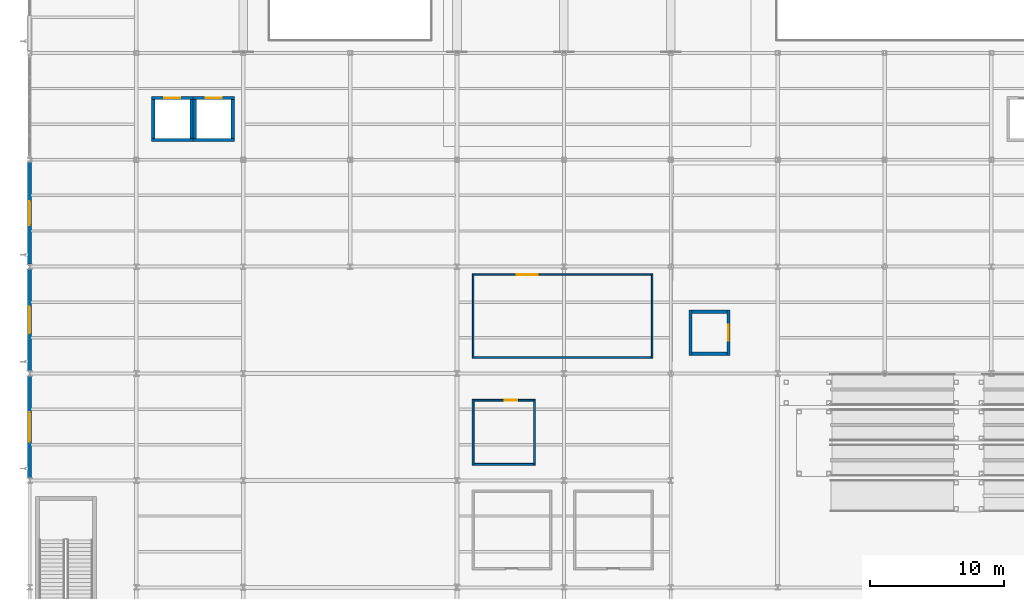
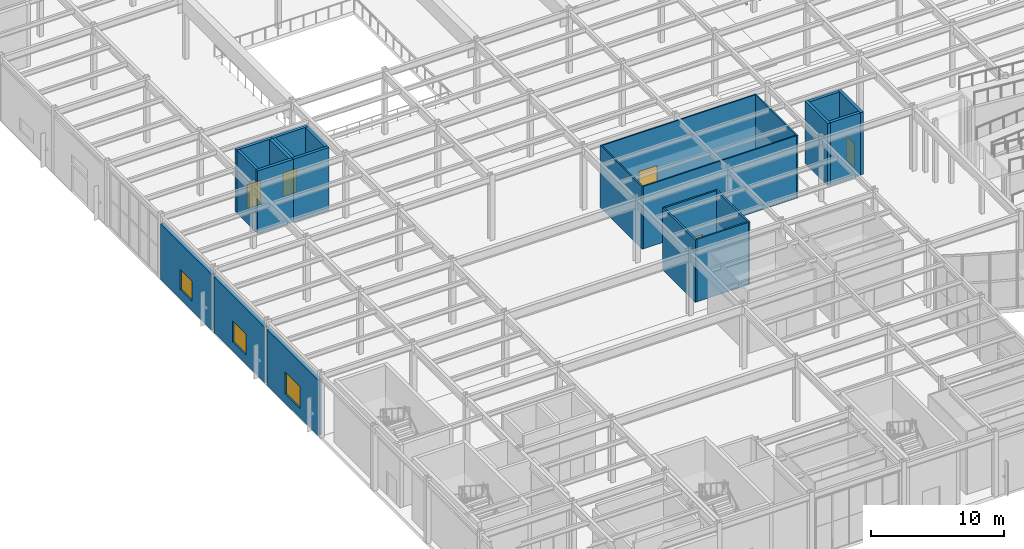
# One storey, part 60 of 82: 23 walls, 5 doors, 3 windows, 8 openings.
"""IFC4 building model written with IfcOpenShell, lengths in metres."""

from ifc_helpers import new_model, si_unit, direction, frame, frame_2d, origin, place, context, subcontext, project, spatial, rectangle, extrude, material, layer, layer_set, type_object, element, fill, save


model = new_model("IFC4")

# Units and contexts
model_context = context("Model", 3, precision=1e-05, world=origin(), true_north=direction((0.0, 1.0)))
body_context = subcontext(model_context, "Body", "Model", "MODEL_VIEW")
ifc_project = project(units=[si_unit("LENGTHUNIT", "METRE"), si_unit("AREAUNIT", "SQUARE_METRE"), si_unit("VOLUMEUNIT", "CUBIC_METRE"), si_unit("PLANEANGLEUNIT", "RADIAN"), si_unit("MASSUNIT", "GRAM", prefix="KILO")], contexts=[model_context])

# Site, building, storey
site_placement = place(None, origin())
site = spatial("IfcSite", under=ifc_project, at=site_placement, CompositionType="ELEMENT")
building_placement = place(site_placement, origin())
building = spatial("IfcBuilding", under=site, at=building_placement, Name="Drelvath Fold Interchange", CompositionType="ELEMENT")
storey_placement = place(building_placement, origin())
storey = spatial("IfcBuildingStorey", under=building, at=storey_placement, Name="L00", CompositionType="ELEMENT", Elevation=0.0)

# Wall, opening, window
ifc_material_1 = material(Name="Precast concrete f'c 40 MPa (6000 psi)", Category="concrete")
ifc_layer_1 = layer(ifc_material_1, 0.31494140625, Name="Precast concrete f'c 40 MPa (6000 psi)")
ifc_layer_set_1 = layer_set([ifc_layer_1], Name="Precast concrete f'c 40 MPa (6000 psi)")
wall_type_1 = type_object("IfcWallType", Name="WL-EXT315", PredefinedType="SOLIDWALL", material=ifc_layer_set_1)
wall_1_placement = place(storey_placement, frame((4.0, 35.193115234375, 0.0), z_axis=(0.0, 0.0, 1.0), x_axis=(0.0, 1.0, 0.0)))
wall_1 = element("IfcWall", 1, at=wall_1_placement, inside=storey, type_object=wall_type_1, Name="L00 exterior facade wall 49", PredefinedType="SOLIDWALL", context=body_context, shape_type="SweptSolid", body=[
    extrude(rectangle(XDim=7.61376953125, YDim=0.31494140625, at=frame_2d((3.806884765625, 0.0))), origin(), (0.0, 0.0, 1.0), 5.10009765625),
])
opening_1_placement = place(wall_1_placement, frame((2.70703125, 0.0, 0.85009765625)))
opening_1 = element("IfcOpeningElement", 2, at=opening_1_placement, cuts=wall_1, Name="Opening W-L00-043", PredefinedType="OPENING", context=body_context, shape_type="SweptSolid", body=[
    extrude(rectangle(XDim=2.199951171875, YDim=2.0, at=frame_2d((1.10009765625, 1.0))), frame((0.0, 0.16748046875, 0.0), z_axis=(0.0, -1.0, 0.0), x_axis=(1.0, 0.0, 0.0)), (0.0, 0.0, 1.0), 0.3349609375),
])
ifc_material_2 = material(Name="Low-Iron Insulated Laminated Glass", Category="glass")
window_type_1 = type_object("IfcWindowType", Name="WN-220x200", PartitioningType="DOUBLE_PANEL_VERTICAL", PredefinedType="WINDOW", material=ifc_material_2)
window_1_placement = place(opening_1_placement, origin())
window_1 = element("IfcWindow", 3, at=window_1_placement, inside=storey, type_object=window_type_1, Name="Facade window W-L00-043", OverallHeight=2.0, OverallWidth=2.199951171875, PartitioningType="SINGLE_PANEL", PredefinedType="WINDOW", context=body_context, shape_type="SweptSolid", body=[
    extrude(rectangle(XDim=2.199951171875, YDim=2.0, at=frame_2d((1.10009765625, 1.0))), frame((0.0, 0.030029296875, 0.0), z_axis=(0.0, -1.0, 0.0), x_axis=(1.0, 0.0, 0.0)), (0.0, 0.0, 1.0), 0.06005859375),
])
fill(opening_1, window_1)

wall_2_placement = place(storey_placement, frame((4.0, 43.193115234375, 0.0), z_axis=(0.0, 0.0, 1.0), x_axis=(0.0, 1.0, 0.0)))
wall_2 = element("IfcWall", 4, at=wall_2_placement, inside=storey, type_object=wall_type_1, Name="L00 exterior facade wall 50", PredefinedType="SOLIDWALL", context=body_context, shape_type="SweptSolid", body=[
    extrude(rectangle(XDim=7.61376953125, YDim=0.31494140625, at=frame_2d((3.806884765625, 0.0))), origin(), (0.0, 0.0, 1.0), 5.10009765625),
])
opening_2_placement = place(wall_2_placement, frame((2.806884765625, 0.0, 0.85009765625)))
opening_2 = element("IfcOpeningElement", 5, at=opening_2_placement, cuts=wall_2, Name="Opening W-L00-044", PredefinedType="OPENING", context=body_context, shape_type="SweptSolid", body=[
    extrude(rectangle(XDim=2.0, YDim=1.89990234375, at=frame_2d((1.0, 0.949951171875))), frame((0.0, 0.16748046875, 0.0), z_axis=(0.0, -1.0, 0.0), x_axis=(1.0, 0.0, 0.0)), (0.0, 0.0, 1.0), 0.3349609375),
])
window_type_2 = type_object("IfcWindowType", Name="WN-200x190", PartitioningType="DOUBLE_PANEL_VERTICAL", PredefinedType="WINDOW", material=ifc_material_2)
window_2_placement = place(opening_2_placement, origin())
window_2 = element("IfcWindow", 6, at=window_2_placement, inside=storey, type_object=window_type_2, Name="Facade window W-L00-044", OverallHeight=1.89990234375, OverallWidth=2.0, PartitioningType="SINGLE_PANEL", PredefinedType="WINDOW", context=body_context, shape_type="SweptSolid", body=[
    extrude(rectangle(XDim=2.0, YDim=1.89990234375, at=frame_2d((1.0, 0.949951171875))), frame((0.0, 0.030029296875, 0.0), z_axis=(0.0, -1.0, 0.0), x_axis=(1.0, 0.0, 0.0)), (0.0, 0.0, 1.0), 0.06005859375),
])
fill(opening_2, window_2)

wall_3_placement = place(storey_placement, frame((4.0, 51.193115234375, 0.0), z_axis=(0.0, 0.0, 1.0), x_axis=(0.0, 1.0, 0.0)))
wall_3 = element("IfcWall", 7, at=wall_3_placement, inside=storey, type_object=wall_type_1, Name="L00 exterior facade wall 51", PredefinedType="SOLIDWALL", context=body_context, shape_type="SweptSolid", body=[
    extrude(rectangle(XDim=7.6328125, YDim=0.31494140625, at=frame_2d((3.81640625, 0.0))), origin(), (0.0, 0.0, 1.0), 5.10009765625),
])
opening_3_placement = place(wall_3_placement, frame((2.9169921875, 0.0, 0.85009765625)))
opening_3 = element("IfcOpeningElement", 8, at=opening_3_placement, cuts=wall_3, Name="Opening W-L00-045", PredefinedType="OPENING", context=body_context, shape_type="SweptSolid", body=[
    extrude(rectangle(XDim=1.800048828125, YDim=1.85009765625, at=frame_2d((0.89990234375, 0.925048828125))), frame((0.0, 0.16748046875, 0.0), z_axis=(0.0, -1.0, 0.0), x_axis=(1.0, 0.0, 0.0)), (0.0, 0.0, 1.0), 0.3349609375),
])
window_type_3 = type_object("IfcWindowType", Name="WN-180x185", PartitioningType="DOUBLE_PANEL_VERTICAL", PredefinedType="WINDOW", material=ifc_material_2)
window_3_placement = place(opening_3_placement, origin())
window_3 = element("IfcWindow", 9, at=window_3_placement, inside=storey, type_object=window_type_3, Name="Facade window W-L00-045", OverallHeight=1.85009765625, OverallWidth=1.800048828125, PartitioningType="SINGLE_PANEL", PredefinedType="WINDOW", context=body_context, shape_type="SweptSolid", body=[
    extrude(rectangle(XDim=1.800048828125, YDim=1.85009765625, at=frame_2d((0.89990234375, 0.925048828125))), frame((0.0, 0.030029296875, 0.0), z_axis=(0.0, -1.0, 0.0), x_axis=(1.0, 0.0, 0.0)), (0.0, 0.0, 1.0), 0.06005859375),
])
fill(opening_3, window_3)

# Walls
ifc_material_3 = material(Name="Acoustic Gypsum Board Partition Assembly")
ifc_layer_2 = layer(ifc_material_3, 0.114990234375, Name="Acoustic Gypsum Board Partition Assembly")
ifc_layer_set_2 = layer_set([ifc_layer_2], Name="Acoustic Gypsum Board Partition Assembly")
wall_type_2 = type_object("IfcWallType", Name="WL-PT115", PredefinedType="PARTITIONING", material=ifc_layer_set_2)
wall_4_placement = place(storey_placement, frame((37.258056640625, 44.199951171875, 0.0), z_axis=(0.0, 0.0, 1.0), x_axis=(1.0, 0.0, 0.0)))
element("IfcWall", 10, at=wall_4_placement, inside=storey, type_object=wall_type_2, Name="Concourse Bookshop and Newsstand S partition", PredefinedType="PARTITIONING", context=body_context, shape_type="SweptSolid", body=[
    extrude(rectangle(XDim=13.284912109375, YDim=0.114990234375, at=frame_2d((6.642578125, 0.0))), origin(), (0.0, 0.0, 1.0), 5.72998046875),
])
wall_5_placement = place(storey_placement, frame((50.60009765625, 44.14306640625, 0.0), z_axis=(0.0, 0.0, 1.0), x_axis=(0.0, 1.0, 0.0)))
element("IfcWall", 11, at=wall_5_placement, inside=storey, type_object=wall_type_2, Name="Concourse Bookshop and Newsstand E partition", PredefinedType="PARTITIONING", context=body_context, shape_type="SweptSolid", body=[
    extrude(rectangle(XDim=6.31396484375, YDim=0.114990234375, at=frame_2d((3.156982421875, 0.0))), origin(), (0.0, 0.0, 1.0), 5.72998046875),
])

# Wall, opening, door
wall_6_placement = place(storey_placement, frame((50.54296875, 50.39990234375, 0.0), z_axis=(0.0, 0.0, 1.0), x_axis=(-1.0, 0.0, 0.0)))
wall_6 = element("IfcWall", 12, at=wall_6_placement, inside=storey, type_object=wall_type_2, Name="Concourse Bookshop and Newsstand N partition", PredefinedType="PARTITIONING", context=body_context, shape_type="SweptSolid", body=[
    extrude(rectangle(XDim=13.284912109375, YDim=0.114990234375, at=frame_2d((6.642578125, 0.0))), origin(), (0.0, 0.0, 1.0), 5.72998046875),
])
opening_4_placement = place(wall_6_placement, frame((8.51904296875, 0.0, 0.0)))
opening_4 = element("IfcOpeningElement", 13, at=opening_4_placement, cuts=wall_6, Name="Opening D-L00-097", PredefinedType="OPENING", context=body_context, shape_type="SweptSolid", body=[
    extrude(rectangle(XDim=1.56005859375, YDim=2.219970703125, at=frame_2d((0.780029296875, 1.10986328125))), frame((0.0, 0.0673828125, 0.0), z_axis=(0.0, -1.0, 0.0), x_axis=(1.0, 0.0, 0.0)), (0.0, 0.0, 1.0), 0.135009765625),
])
ifc_material_4 = material(Name="Anodized Aluminium Glazed Door Assembly", Category="aluminium")
door_type_1 = type_object("IfcDoorType", Name="DR-NR156", OperationType="DOUBLE_DOOR_SINGLE_SWING", PredefinedType="DOOR", material=ifc_material_4)
door_1_placement = place(opening_4_placement, origin())
door_1 = element("IfcDoor", 14, at=door_1_placement, inside=storey, type_object=door_type_1, Name="Concourse Bookshop and Newsstand door D-L00-097", OperationType="DOUBLE_DOOR_SINGLE_SWING", OverallHeight=2.219970703125, OverallWidth=1.56005859375, PredefinedType="DOOR", context=body_context, shape_type="SweptSolid", body=[
    extrude(rectangle(XDim=1.56005859375, YDim=2.219970703125, at=frame_2d((0.780029296875, 1.10986328125))), frame((0.0, 0.02490234375, 0.0), z_axis=(0.0, -1.0, 0.0), x_axis=(1.0, 0.0, 0.0)), (0.0, 0.0, 1.0), 0.050048828125),
])
fill(opening_4, door_1)

# Walls
wall_7_placement = place(storey_placement, frame((37.199951171875, 50.45703125, 0.0), z_axis=(0.0, 0.0, 1.0), x_axis=(0.0, -1.0, 0.0)))
element("IfcWall", 15, at=wall_7_placement, inside=storey, type_object=wall_type_2, Name="Concourse Bookshop and Newsstand W partition", PredefinedType="PARTITIONING", context=body_context, shape_type="SweptSolid", body=[
    extrude(rectangle(XDim=6.31396484375, YDim=0.114990234375, at=frame_2d((3.156982421875, 0.0))), origin(), (0.0, 0.0, 1.0), 5.72998046875),
])
ifc_layer_3 = layer(ifc_material_3, 0.14501953125, Name="Acoustic Gypsum Board Partition Assembly")
ifc_layer_set_3 = layer_set([ifc_layer_3], Name="Acoustic Gypsum Board Partition Assembly")
wall_type_3 = type_object("IfcWallType", Name="WL-PT145", PredefinedType="PARTITIONING", material=ifc_layer_set_3)
wall_8_placement = place(storey_placement, frame((37.27294921875, 36.199951171875, 0.0), z_axis=(0.0, 0.0, 1.0), x_axis=(1.0, 0.0, 0.0)))
element("IfcWall", 16, at=wall_8_placement, inside=storey, type_object=wall_type_3, Name="Ground Concourse Accessible WC S partition", PredefinedType="PARTITIONING", context=body_context, shape_type="SweptSolid", body=[
    extrude(rectangle(XDim=4.4541015625, YDim=0.14501953125, at=frame_2d((2.22705078125, 0.0))), origin(), (0.0, 0.0, 1.0), 5.72998046875),
])
wall_9_placement = place(storey_placement, frame((41.800048828125, 36.1279296875, 0.0), z_axis=(0.0, 0.0, 1.0), x_axis=(0.0, 1.0, 0.0)))
element("IfcWall", 17, at=wall_9_placement, inside=storey, type_object=wall_type_3, Name="Ground Concourse Accessible WC E partition", PredefinedType="PARTITIONING", context=body_context, shape_type="SweptSolid", body=[
    extrude(rectangle(XDim=4.944091796875, YDim=0.14501953125, at=frame_2d((2.47216796875, 0.0))), origin(), (0.0, 0.0, 1.0), 5.72998046875),
])

# Wall, opening, door
wall_10_placement = place(storey_placement, frame((41.72705078125, 41.0, 0.0), z_axis=(0.0, 0.0, 1.0), x_axis=(-1.0, 0.0, 0.0)))
wall_10 = element("IfcWall", 18, at=wall_10_placement, inside=storey, type_object=wall_type_3, Name="Ground Concourse Accessible WC N partition", PredefinedType="PARTITIONING", context=body_context, shape_type="SweptSolid", body=[
    extrude(rectangle(XDim=4.4541015625, YDim=0.14501953125, at=frame_2d((2.22705078125, 0.0))), origin(), (0.0, 0.0, 1.0), 5.72998046875),
])
opening_5_placement = place(wall_10_placement, frame((1.212890625, 0.0, 0.0)))
opening_5 = element("IfcOpeningElement", 19, at=opening_5_placement, cuts=wall_10, Name="Opening D-L00-096", PredefinedType="OPENING", context=body_context, shape_type="SweptSolid", body=[
    extrude(rectangle(XDim=0.9599609375, YDim=2.1201171875, at=frame_2d((0.47998046875, 1.06005859375))), frame((0.0, 0.08251953125, 0.0), z_axis=(0.0, -1.0, 0.0), x_axis=(1.0, 0.0, 0.0)), (0.0, 0.0, 1.0), 0.1650390625),
])
door_type_2 = type_object("IfcDoorType", Name="DR-NR096", OperationType="NOTDEFINED", PredefinedType="DOOR", material=ifc_material_4)
door_2_placement = place(opening_5_placement, frame((0.9599609375, 0.0, 0.0), z_axis=(0.0, 0.0, 1.0), x_axis=(-1.0, 0.0, 0.0)))
door_2 = element("IfcDoor", 20, at=door_2_placement, inside=storey, type_object=door_type_2, Name="Ground Concourse Accessible WC door D-L00-096", OperationType="SINGLE_SWING_LEFT", OverallHeight=2.1201171875, OverallWidth=0.9599609375, PredefinedType="DOOR", context=body_context, shape_type="SweptSolid", body=[
    extrude(rectangle(XDim=0.9599609375, YDim=2.1201171875, at=frame_2d((0.47998046875, 1.06005859375))), frame((0.0, 0.02490234375, 0.0), z_axis=(0.0, -1.0, 0.0), x_axis=(1.0, 0.0, 0.0)), (0.0, 0.0, 1.0), 0.050048828125),
])
fill(opening_5, door_2)

# Walls
wall_11_placement = place(storey_placement, frame((37.199951171875, 41.072021484375, 0.0), z_axis=(0.0, 0.0, 1.0), x_axis=(0.0, -1.0, 0.0)))
element("IfcWall", 21, at=wall_11_placement, inside=storey, type_object=wall_type_3, Name="Ground Concourse Accessible WC W partition", PredefinedType="PARTITIONING", context=body_context, shape_type="SweptSolid", body=[
    extrude(rectangle(XDim=4.944091796875, YDim=0.14501953125, at=frame_2d((2.47216796875, 0.0))), origin(), (0.0, 0.0, 1.0), 5.72998046875),
])
ifc_material_5 = material(Name="Concrete f'c 45 MPa (6500 psi)", Category="concrete")
ifc_layer_4 = layer(ifc_material_5, 0.25, Name="Concrete f'c 45 MPa (6500 psi)")
ifc_layer_set_4 = layer_set([ifc_layer_4], Name="Concrete f'c 45 MPa (6500 psi)")
wall_type_4 = type_object("IfcWallType", Name="WL-SH250", PredefinedType="SOLIDWALL", material=ifc_layer_set_4)
wall_12_placement = place(storey_placement, frame((13.14990234375, 60.47509765625, 0.0), z_axis=(0.0, 0.0, 1.0), x_axis=(1.0, 0.0, 0.0)))
element("IfcWall", 22, at=wall_12_placement, inside=storey, type_object=wall_type_4, Name="LF-03 L00 south shaft wall", PredefinedType="SOLIDWALL", context=body_context, shape_type="SweptSolid", body=[
    extrude(rectangle(XDim=3.10009765625, YDim=0.25, at=frame_2d((1.550048828125, 0.0))), origin(), (0.0, 0.0, 1.0), 5.7548828125),
])

# Wall, opening, door
wall_13_placement = place(storey_placement, frame((16.25, 63.625, 0.0), z_axis=(0.0, 0.0, 1.0), x_axis=(-1.0, 0.0, 0.0)))
wall_13 = element("IfcWall", 23, at=wall_13_placement, inside=storey, type_object=wall_type_4, Name="LF-03 L00 north shaft wall", PredefinedType="SOLIDWALL", context=body_context, shape_type="SweptSolid", body=[
    extrude(rectangle(XDim=3.10009765625, YDim=0.25, at=frame_2d((1.550048828125, 0.0))), origin(), (0.0, 0.0, 1.0), 5.7548828125),
])
opening_6_placement = place(wall_13_placement, frame((0.949951171875, 0.0, 0.0)))
opening_6 = element("IfcOpeningElement", 24, at=opening_6_placement, cuts=wall_13, Name="Opening LD-LF-03-L00", PredefinedType="OPENING", context=body_context, shape_type="SweptSolid", body=[
    extrude(rectangle(XDim=1.199951171875, YDim=2.199951171875, at=frame_2d((0.60009765625, 1.10009765625))), frame((0.0, 0.135009765625, 0.0), z_axis=(0.0, -1.0, 0.0), x_axis=(1.0, 0.0, 0.0)), (0.0, 0.0, 1.0), 0.27001953125),
])
ifc_material_6 = material(Name="Insulated Hollow Metal Door Assembly")
door_type_3 = type_object("IfcDoorType", Name="DR-LD1200", OperationType="DOUBLE_DOOR_SLIDING", PredefinedType="DOOR", material=ifc_material_6)
door_3_placement = place(opening_6_placement, frame((1.199951171875, 0.0, 0.0), z_axis=(0.0, 0.0, 1.0), x_axis=(-1.0, 0.0, 0.0)))
door_3 = element("IfcDoor", 25, at=door_3_placement, inside=storey, type_object=door_type_3, Name="LF-03 L00 lift landing sliding door LD-LF-03-L00", OperationType="DOUBLE_DOOR_SLIDING", OverallHeight=2.199951171875, OverallWidth=1.199951171875, PredefinedType="DOOR", context=body_context, shape_type="SweptSolid", body=[
    extrude(rectangle(XDim=1.199951171875, YDim=2.199951171875, at=frame_2d((0.60009765625, 1.10009765625))), frame((0.0, 0.02490234375, 0.0), z_axis=(0.0, -1.0, 0.0), x_axis=(1.0, 0.0, 0.0)), (0.0, 0.0, 1.0), 0.050048828125),
])
fill(opening_6, door_3)

# Walls
for number, where, z_axis, x_axis, name in (
    (26, (16.125, 60.60009765625, 0.0), (0.0, 0.0, 1.0), (0.0, 1.0, 0.0), "LF-03 L00 east shaft wall"),
    (27, (13.27490234375, 63.5, 0.0), (0.0, 0.0, 1.0), (0.0, -1.0, 0.0), "LF-03 L00 west shaft wall"),
):
    element("IfcWall", number, at=place(storey_placement, frame(where, z_axis=z_axis, x_axis=x_axis)), inside=storey, type_object=wall_type_4, Name=name, PredefinedType="SOLIDWALL", context=body_context, shape_type="SweptSolid", body=[
        extrude(rectangle(XDim=2.89990234375, YDim=0.25, at=frame_2d((1.449951171875, 0.0))), origin(), (0.0, 0.0, 1.0), 5.7548828125),
    ])
wall_14_placement = place(storey_placement, frame((16.25, 60.47509765625, 0.0), z_axis=(0.0, 0.0, 1.0), x_axis=(1.0, 0.0, 0.0)))
element("IfcWall", 28, at=wall_14_placement, inside=storey, type_object=wall_type_4, Name="LF-04 L00 south shaft wall", PredefinedType="SOLIDWALL", context=body_context, shape_type="SweptSolid", body=[
    extrude(rectangle(XDim=3.10009765625, YDim=0.25, at=frame_2d((1.550048828125, 0.0))), origin(), (0.0, 0.0, 1.0), 5.7548828125),
])

# Wall, opening, door
wall_15_placement = place(storey_placement, frame((19.35009765625, 63.625, 0.0), z_axis=(0.0, 0.0, 1.0), x_axis=(-1.0, 0.0, 0.0)))
wall_15 = element("IfcWall", 29, at=wall_15_placement, inside=storey, type_object=wall_type_4, Name="LF-04 L00 north shaft wall", PredefinedType="SOLIDWALL", context=body_context, shape_type="SweptSolid", body=[
    extrude(rectangle(XDim=3.10009765625, YDim=0.25, at=frame_2d((1.550048828125, 0.0))), origin(), (0.0, 0.0, 1.0), 5.7548828125),
])
opening_7_placement = place(wall_15_placement, frame((0.949951171875, 0.0, 0.0)))
opening_7 = element("IfcOpeningElement", 30, at=opening_7_placement, cuts=wall_15, Name="Opening LD-LF-04-L00", PredefinedType="OPENING", context=body_context, shape_type="SweptSolid", body=[
    extrude(rectangle(XDim=1.199951171875, YDim=2.199951171875, at=frame_2d((0.60009765625, 1.10009765625))), frame((0.0, 0.135009765625, 0.0), z_axis=(0.0, -1.0, 0.0), x_axis=(1.0, 0.0, 0.0)), (0.0, 0.0, 1.0), 0.27001953125),
])
door_4_placement = place(opening_7_placement, frame((1.199951171875, 0.0, 0.0), z_axis=(0.0, 0.0, 1.0), x_axis=(-1.0, 0.0, 0.0)))
door_4 = element("IfcDoor", 31, at=door_4_placement, inside=storey, type_object=door_type_3, Name="LF-04 L00 lift landing sliding door LD-LF-04-L00", OperationType="DOUBLE_DOOR_SLIDING", OverallHeight=2.199951171875, OverallWidth=1.199951171875, PredefinedType="DOOR", context=body_context, shape_type="SweptSolid", body=[
    extrude(rectangle(XDim=1.199951171875, YDim=2.199951171875, at=frame_2d((0.60009765625, 1.10009765625))), frame((0.0, 0.02490234375, 0.0), z_axis=(0.0, -1.0, 0.0), x_axis=(1.0, 0.0, 0.0)), (0.0, 0.0, 1.0), 0.050048828125),
])
fill(opening_7, door_4)

# Walls
for number, where, z_axis, x_axis, name in (
    (32, (19.22509765625, 60.60009765625, 0.0), (0.0, 0.0, 1.0), (0.0, 1.0, 0.0), "LF-04 L00 east shaft wall"),
    (33, (16.375, 63.5, 0.0), (0.0, 0.0, 1.0), (0.0, -1.0, 0.0), "LF-04 L00 west shaft wall"),
):
    element("IfcWall", number, at=place(storey_placement, frame(where, z_axis=z_axis, x_axis=x_axis)), inside=storey, type_object=wall_type_4, Name=name, PredefinedType="SOLIDWALL", context=body_context, shape_type="SweptSolid", body=[
        extrude(rectangle(XDim=2.89990234375, YDim=0.25, at=frame_2d((1.449951171875, 0.0))), origin(), (0.0, 0.0, 1.0), 5.7548828125),
    ])
for number, where, z_axis, x_axis, name in (
    (34, (53.60009765625, 44.47509765625, 0.0), (0.0, 0.0, 1.0), (1.0, 0.0, 0.0), "LF-07 L00 south shaft wall"),
    (35, (56.199951171875, 47.625, 0.0), (0.0, 0.0, 1.0), (-1.0, 0.0, 0.0), "LF-07 L00 north shaft wall"),
):
    element("IfcWall", number, at=place(storey_placement, frame(where, z_axis=z_axis, x_axis=x_axis)), inside=storey, type_object=wall_type_4, Name=name, PredefinedType="SOLIDWALL", context=body_context, shape_type="SweptSolid", body=[
        extrude(rectangle(XDim=2.599853515625, YDim=0.25, at=frame_2d((1.2998046875, 0.0))), origin(), (0.0, 0.0, 1.0), 5.735107421875),
    ])

# Wall, opening, door
wall_16_placement = place(storey_placement, frame((56.324951171875, 44.35009765625, 0.0), z_axis=(0.0, 0.0, 1.0), x_axis=(0.0, 1.0, 0.0)))
wall_16 = element("IfcWall", 36, at=wall_16_placement, inside=storey, type_object=wall_type_4, Name="LF-07 L00 east shaft wall", PredefinedType="SOLIDWALL", context=body_context, shape_type="SweptSolid", body=[
    extrude(rectangle(XDim=3.39990234375, YDim=0.25, at=frame_2d((1.699951171875, 0.0))), origin(), (0.0, 0.0, 1.0), 5.735107421875),
])
opening_8_placement = place(wall_16_placement, frame((1.10009765625, 0.0, 0.0)))
opening_8 = element("IfcOpeningElement", 37, at=opening_8_placement, cuts=wall_16, Name="Opening LD-LF-07-L00", PredefinedType="OPENING", context=body_context, shape_type="SweptSolid", body=[
    extrude(rectangle(XDim=1.199951171875, YDim=2.199951171875, at=frame_2d((0.60009765625, 1.10009765625))), frame((0.0, 0.135009765625, 0.0), z_axis=(0.0, -1.0, 0.0), x_axis=(1.0, 0.0, 0.0)), (0.0, 0.0, 1.0), 0.27001953125),
])
door_5_placement = place(opening_8_placement, frame((1.199951171875, 0.0, 0.0), z_axis=(0.0, 0.0, 1.0), x_axis=(-1.0, 0.0, 0.0)))
door_5 = element("IfcDoor", 38, at=door_5_placement, inside=storey, type_object=door_type_3, Name="LF-07 L00 lift landing sliding door LD-LF-07-L00", OperationType="DOUBLE_DOOR_SLIDING", OverallHeight=2.199951171875, OverallWidth=1.199951171875, PredefinedType="DOOR", context=body_context, shape_type="SweptSolid", body=[
    extrude(rectangle(XDim=1.199951171875, YDim=2.199951171875, at=frame_2d((0.60009765625, 1.10009765625))), frame((0.0, 0.02490234375, 0.0), z_axis=(0.0, -1.0, 0.0), x_axis=(1.0, 0.0, 0.0)), (0.0, 0.0, 1.0), 0.050048828125),
])
fill(opening_8, door_5)

# Wall
wall_17_placement = place(storey_placement, frame((53.47509765625, 47.75, 0.0), z_axis=(0.0, 0.0, 1.0), x_axis=(0.0, -1.0, 0.0)))
element("IfcWall", 39, at=wall_17_placement, inside=storey, type_object=wall_type_4, Name="LF-07 L00 west shaft wall", PredefinedType="SOLIDWALL", context=body_context, shape_type="SweptSolid", body=[
    extrude(rectangle(XDim=3.39990234375, YDim=0.25, at=frame_2d((1.699951171875, 0.0))), origin(), (0.0, 0.0, 1.0), 5.735107421875),
])

save(model, "model.ifc")
